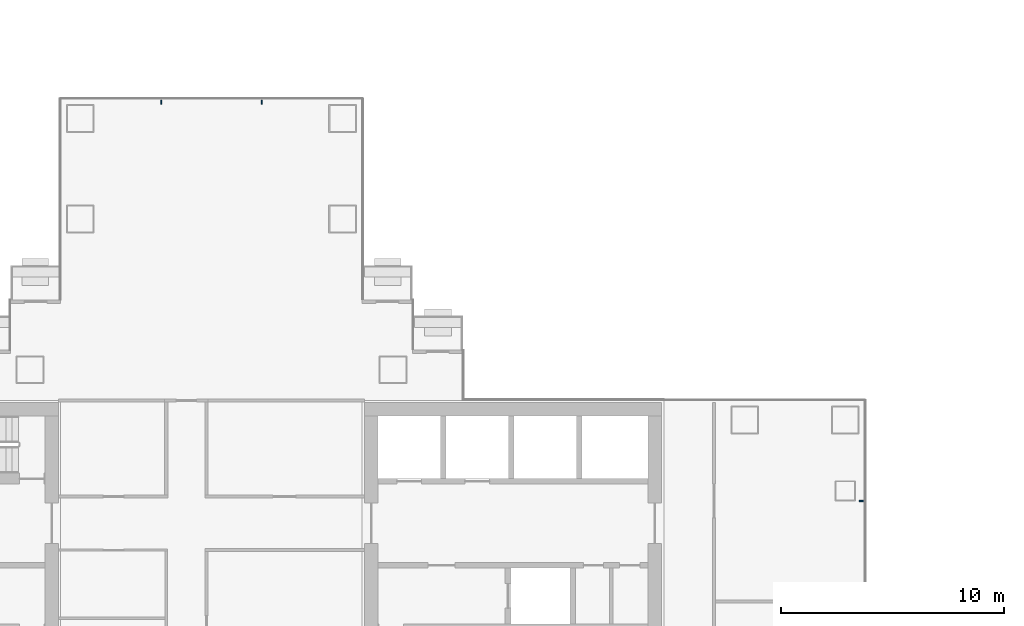
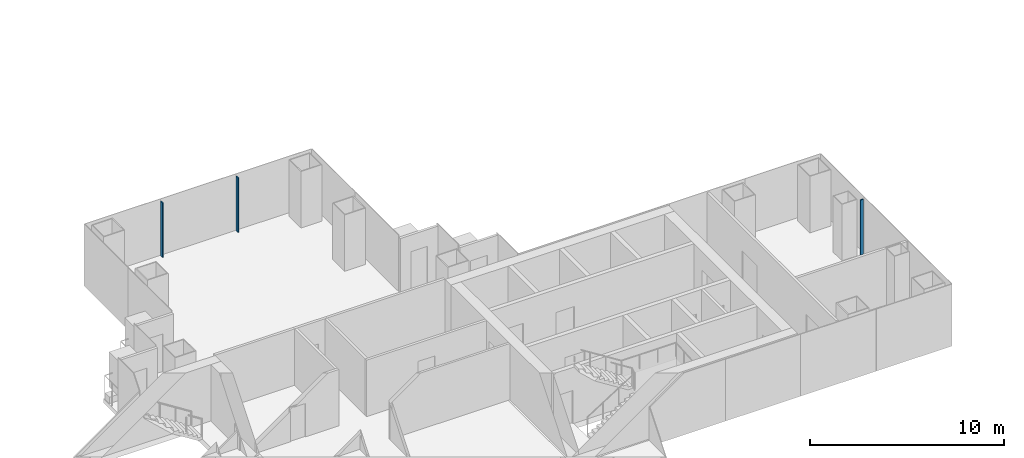
# One storey, part 4 of 19: 3 members, 2 elements without a shape of their own.
"""IFC4 building model written with IfcOpenShell, lengths in metres."""

from ifc_helpers import new_model, si_unit, direction, frame, origin, origin_2d, place, context, subcontext, project, spatial, rectangle, extrude, material, layer, layer_set, material_profile, profile_set, type_object, element, aggregate, save


model = new_model("IFC4")

# Units and contexts
model_context = context("Model", 3, precision=1e-05, world=origin(), true_north=direction((0.0, 1.0)))
body_context = subcontext(model_context, "Body", "Model", "MODEL_VIEW")
ifc_project = project(units=[si_unit("LENGTHUNIT", "METRE"), si_unit("AREAUNIT", "SQUARE_METRE"), si_unit("VOLUMEUNIT", "CUBIC_METRE"), si_unit("PLANEANGLEUNIT", "RADIAN"), si_unit("MASSUNIT", "GRAM", prefix="KILO")], contexts=[model_context])

# Site, building, storey
site_placement = place(None, origin())
site = spatial("IfcSite", under=ifc_project, at=site_placement, CompositionType="ELEMENT")
building_placement = place(site_placement, origin())
building = spatial("IfcBuilding", under=site, at=building_placement, Name="Shamsa Quay Exchange Towers", CompositionType="ELEMENT")
storey_placement = place(building_placement, frame((0.0, 0.0, 85.800048828125)))
storey = spatial("IfcBuildingStorey", under=building, at=storey_placement, Name="L19", CompositionType="ELEMENT", Elevation=85.800048828125)

# Curtain wall, member
ifc_material = material(Name="Aluminium EN AW-6063 T6, black anodised", Category="aluminium")
ifc_layer = layer(ifc_material, 0.280029296875)
ifc_layer_set = layer_set([ifc_layer], Name="CW-1 UNITISED VISION GLASS")
curtain_wall_type = type_object("IfcCurtainWallType", Name="CW-1 UNITISED VISION GLASS", PredefinedType="NOTDEFINED", material=ifc_layer_set)
curtain_wall_1_placement = place(storey_placement, origin())
curtain_wall_1 = element("IfcCurtainWall", 1, at=curtain_wall_1_placement, inside=storey, type_object=curtain_wall_type, Name="CW1 T1-END-U+ L19", PredefinedType="NOTDEFINED")
ifc_material_profile = material_profile(ifc_material, rectangle(XDim=0.179931640625, YDim=0.06005859375, at=origin_2d()), Name="MU60x180")
ifc_profile_set = profile_set([ifc_material_profile], Name="Aluminium EN AW-6063 T6, black anodised")
member_type = type_object("IfcMemberType", Name="CW1 MULLION 60x180", PredefinedType="MULLION", material=ifc_profile_set)
member_1_placement = place(storey_placement, frame((-4.64990234375, 2.25, 0.0), z_axis=(0.0, 0.0, 1.0), x_axis=(-1.0, 0.0, 0.0)))
member_1 = element("IfcMember", 2, at=member_1_placement, type_object=member_type, Name="CW1 mullion", PredefinedType="MULLION", context=body_context, shape_type="SweptSolid", body=[
    extrude(rectangle(XDim=0.179931640625, YDim=0.06005859375, at=origin_2d()), origin(), (0.0, 0.0, 1.0), 3.449951171875),
])
aggregate(curtain_wall_1, [member_1])

# Curtain wall, members
curtain_wall_2_placement = place(storey_placement, origin())
curtain_wall_2 = element("IfcCurtainWall", 3, at=curtain_wall_2_placement, inside=storey, type_object=curtain_wall_type, Name="CW1 T1-END-V+ L19", PredefinedType="NOTDEFINED")
member_2_placement = place(storey_placement, frame((-31.5, 20.10009765625, 0.0), z_axis=(0.0, 0.0, 1.0), x_axis=(0.0, -1.0, 0.0)))
member_2 = element("IfcMember", 4, at=member_2_placement, type_object=member_type, Name="CW1 mullion", PredefinedType="MULLION", context=body_context, shape_type="SweptSolid", body=[
    extrude(rectangle(XDim=0.179931640625, YDim=0.06005859375, at=origin_2d()), origin(), (0.0, 0.0, 1.0), 3.449951171875),
])
member_3_placement = place(storey_placement, frame((-36.0, 20.10009765625, 0.0), z_axis=(0.0, 0.0, 1.0), x_axis=(0.0, -1.0, 0.0)))
member_3 = element("IfcMember", 5, at=member_3_placement, type_object=member_type, Name="CW1 mullion", PredefinedType="MULLION", context=body_context, shape_type="SweptSolid", body=[
    extrude(rectangle(XDim=0.179931640625, YDim=0.06005859375, at=origin_2d()), origin(), (0.0, 0.0, 1.0), 3.449951171875),
])
aggregate(curtain_wall_2, [member_2, member_3])

save(model, "model.ifc")
